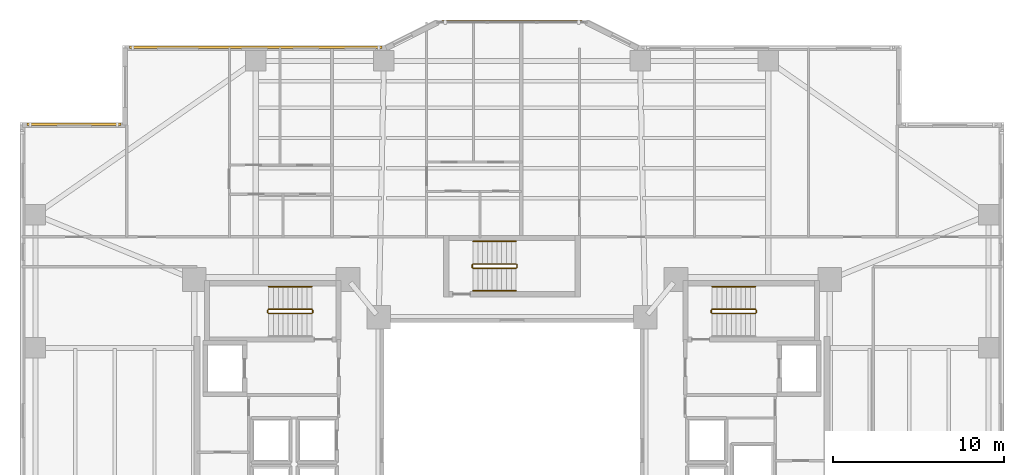
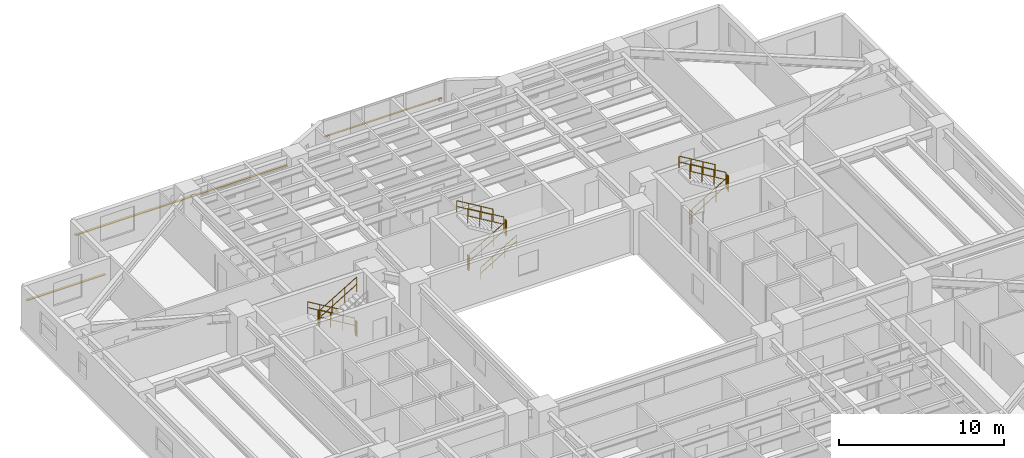
# One storey, part 20 of 21: 16 railings, 3 shading devices.
"""IFC4 building model written with IfcOpenShell, lengths in metres."""

from ifc_helpers import new_model, si_unit, direction, frame, origin, origin_2d, place, context, subcontext, project, spatial, rectangle, circle, extrude, material, material_profile, profile_set, type_object, element, save


model = new_model("IFC4")

# Units and contexts
model_context = context("Model", 3, precision=1e-05, world=origin(), true_north=direction((0.0, 1.0)))
body_context = subcontext(model_context, "Body", "Model", "MODEL_VIEW")
ifc_project = project(units=[si_unit("LENGTHUNIT", "METRE"), si_unit("AREAUNIT", "SQUARE_METRE"), si_unit("VOLUMEUNIT", "CUBIC_METRE"), si_unit("PLANEANGLEUNIT", "RADIAN"), si_unit("MASSUNIT", "GRAM", prefix="KILO")], contexts=[model_context])

# Site, building, storey
site_placement = place(None, origin())
site = spatial("IfcSite", under=ifc_project, at=site_placement, CompositionType="ELEMENT")
building_placement = place(site_placement, origin())
building = spatial("IfcBuilding", under=site, at=building_placement, Name="Tarnavaz Court Tower", CompositionType="ELEMENT")
storey_placement = place(building_placement, frame((0.0, 0.0, 40.75)))
storey = spatial("IfcBuildingStorey", under=building, at=storey_placement, Name="L10", CompositionType="ELEMENT", Elevation=40.75)

# Railings
ifc_material_1 = material(Name="Brushed Stainless Steel", Category="steel")
railing_type_1 = type_object("IfcRailingType", Name="RL-HANDRAIL-900", PredefinedType="HANDRAIL", material=ifc_material_1)
for number, where, name in (
    (1, (-11.719970703125, 9.590087890625, 0.16748046875), "L10 ST-W1 stair handrail 1"),
    (2, (14.239990234375, 9.590087890625, 1.842529296875), "L10 ST-E1 stair handrail 2"),
):
    element("IfcRailing", number, at=place(storey_placement, frame(where)), inside=storey, type_object=railing_type_1, Name=name, PredefinedType="HANDRAIL", context=body_context, shape_type="SweptSolid", body=[
        extrude(circle(Radius=0.02392578125, at=origin_2d()), frame((0.0, 0.0, 0.8759765625), z_axis=(-0.858159760407, 0.0, 0.513382728203), x_axis=(0.0, -1.0, 0.0)), (0.0, 0.0, 1.0), 2.9365234375),
        extrude(circle(Radius=0.02392578125, at=origin_2d()), frame((0.0, 0.0, 0.449951171875), z_axis=(-0.858159760407, 0.0, 0.513382728203), x_axis=(0.0, -1.0, 0.0)), (0.0, 0.0, 1.0), 2.9365234375),
        extrude(circle(Radius=0.02099609375, at=origin_2d()), origin(), (0.0, 0.0, 1.0), 0.851806640625),
        extrude(circle(Radius=0.02099609375, at=origin_2d()), frame((-0.840087890625, 0.0, 0.50244140625)), (0.0, 0.0, 1.0), 0.851806640625),
        extrude(circle(Radius=0.02099609375, at=origin_2d()), frame((-1.679931640625, 0.0, 1.005126953125)), (0.0, 0.0, 1.0), 0.851806640625),
        extrude(circle(Radius=0.02099609375, at=origin_2d()), frame((-2.52001953125, 0.0, 1.507568359375)), (0.0, 0.0, 1.0), 0.851806640625),
    ])
railing_1_placement = place(storey_placement, frame((-2.280029296875, 9.35009765625, 0.16748046875)))
element("IfcRailing", 3, at=railing_1_placement, inside=storey, type_object=railing_type_1, Name="L10 ST-N1 stair handrail 1", PredefinedType="HANDRAIL", context=body_context, shape_type="SweptSolid", body=[
    extrude(circle(Radius=0.02392578125, at=origin_2d()), frame((0.0, 0.0, 0.8759765625), z_axis=(0.858159760407, 0.0, 0.513382728203), x_axis=(0.0, 1.0, 0.0)), (0.0, 0.0, 1.0), 2.9365234375),
    extrude(circle(Radius=0.02392578125, at=origin_2d()), frame((0.0, 0.0, 0.449951171875), z_axis=(0.858159760407, 0.0, 0.513382728203), x_axis=(0.0, 1.0, 0.0)), (0.0, 0.0, 1.0), 2.9365234375),
    extrude(circle(Radius=0.02099609375, at=origin_2d()), origin(), (0.0, 0.0, 1.0), 0.851806640625),
    extrude(circle(Radius=0.02099609375, at=origin_2d()), frame((0.840087890625, 0.0, 0.50244140625)), (0.0, 0.0, 1.0), 0.851806640625),
    extrude(circle(Radius=0.02099609375, at=origin_2d()), frame((1.679931640625, 0.0, 1.005126953125)), (0.0, 0.0, 1.0), 0.851806640625),
    extrude(circle(Radius=0.02099609375, at=origin_2d()), frame((2.52001953125, 0.0, 1.507568359375)), (0.0, 0.0, 1.0), 0.851806640625),
])
railing_2_placement = place(storey_placement, frame((0.239990234375, 12.239990234375, 1.842529296875)))
element("IfcRailing", 4, at=railing_2_placement, inside=storey, type_object=railing_type_1, Name="L10 ST-N1 stair handrail 2", PredefinedType="HANDRAIL", context=body_context, shape_type="SweptSolid", body=[
    extrude(circle(Radius=0.02392578125, at=origin_2d()), frame((0.0, 0.0, 0.8759765625), z_axis=(-0.858159760407, 0.0, 0.513382728203), x_axis=(0.0, -1.0, 0.0)), (0.0, 0.0, 1.0), 2.9365234375),
    extrude(circle(Radius=0.02392578125, at=origin_2d()), frame((0.0, 0.0, 0.449951171875), z_axis=(-0.858159760407, 0.0, 0.513382728203), x_axis=(0.0, -1.0, 0.0)), (0.0, 0.0, 1.0), 2.9365234375),
    extrude(circle(Radius=0.02099609375, at=origin_2d()), origin(), (0.0, 0.0, 1.0), 0.851806640625),
    extrude(circle(Radius=0.02099609375, at=origin_2d()), frame((-0.840087890625, 0.0, 0.50244140625)), (0.0, 0.0, 1.0), 0.851806640625),
    extrude(circle(Radius=0.02099609375, at=origin_2d()), frame((-1.679931640625, 0.0, 1.005126953125)), (0.0, 0.0, 1.0), 0.851806640625),
    extrude(circle(Radius=0.02099609375, at=origin_2d()), frame((-2.52001953125, 0.0, 1.507568359375)), (0.0, 0.0, 1.0), 0.851806640625),
])
ifc_material_2 = material(Name="Galvanized Painted Tubular Steel", Category="steel")
railing_type_2 = type_object("IfcRailingType", Name="RL-STGUARD-1120", PredefinedType="GUARDRAIL", material=ifc_material_2)
railing_3_placement = place(storey_placement, frame((-11.719970703125, 8.27001953125, 0.16748046875)))
element("IfcRailing", 5, at=railing_3_placement, inside=storey, type_object=railing_type_2, Name="L10 ST-W1 stair guard 1", PredefinedType="GUARDRAIL", context=body_context, shape_type="SweptSolid", body=[
    extrude(circle(Radius=0.02392578125, at=origin_2d()), frame((0.0, 0.0, 1.09619140625), z_axis=(-0.858159760407, 0.0, 0.513382728203), x_axis=(0.0, -1.0, 0.0)), (0.0, 0.0, 1.0), 2.9365234375),
    extrude(circle(Radius=0.02392578125, at=origin_2d()), frame((0.0, 0.0, 0.56005859375), z_axis=(-0.858159760407, 0.0, 0.513382728203), x_axis=(0.0, -1.0, 0.0)), (0.0, 0.0, 1.0), 2.9365234375),
    extrude(circle(Radius=0.02099609375, at=origin_2d()), origin(), (0.0, 0.0, 1.0), 1.072021484375),
    extrude(circle(Radius=0.02099609375, at=origin_2d()), frame((-0.840087890625, 0.0, 0.50244140625)), (0.0, 0.0, 1.0), 1.072021484375),
    extrude(circle(Radius=0.02099609375, at=origin_2d()), frame((-1.679931640625, 0.0, 1.005126953125)), (0.0, 0.0, 1.0), 1.072021484375),
    extrude(circle(Radius=0.02099609375, at=origin_2d()), frame((-2.52001953125, 0.0, 1.507568359375)), (0.0, 0.0, 1.0), 1.072021484375),
])
railing_4_placement = place(storey_placement, frame((-14.2900390625, 8.219970703125, 1.675048828125)))
element("IfcRailing", 6, at=railing_4_placement, inside=storey, type_object=railing_type_2, Name="L10 ST-W1 stair guard 2", PredefinedType="GUARDRAIL", context=body_context, shape_type="SweptSolid", body=[
    extrude(circle(Radius=0.02392578125, at=origin_2d()), frame((0.0, 0.0, 1.09619140625), z_axis=(0.0, -1.0, 0.0), x_axis=(1.0, 0.0, 0.0)), (0.0, 0.0, 1.0), 0.14990234375),
    extrude(circle(Radius=0.02392578125, at=origin_2d()), frame((0.0, 0.0, 0.56005859375), z_axis=(0.0, -1.0, 0.0), x_axis=(1.0, 0.0, 0.0)), (0.0, 0.0, 1.0), 0.14990234375),
    extrude(circle(Radius=0.02099609375, at=origin_2d()), origin(), (0.0, 0.0, 1.0), 1.072021484375),
    extrude(circle(Radius=0.02099609375, at=origin_2d()), frame((0.0, -0.14990234375, 0.0)), (0.0, 0.0, 1.0), 1.072021484375),
])
railing_5_placement = place(storey_placement, frame((-14.239990234375, 8.02001953125, 1.842529296875)))
element("IfcRailing", 7, at=railing_5_placement, inside=storey, type_object=railing_type_2, Name="L10 ST-W1 stair guard 3", PredefinedType="GUARDRAIL", context=body_context, shape_type="SweptSolid", body=[
    extrude(circle(Radius=0.02392578125, at=origin_2d()), frame((0.0, 0.0, 1.09619140625), z_axis=(0.858159760407, 0.0, 0.513382728203), x_axis=(0.0, 1.0, 0.0)), (0.0, 0.0, 1.0), 2.9365234375),
    extrude(circle(Radius=0.02392578125, at=origin_2d()), frame((0.0, 0.0, 0.56005859375), z_axis=(0.858159760407, 0.0, 0.513382728203), x_axis=(0.0, 1.0, 0.0)), (0.0, 0.0, 1.0), 2.9365234375),
    extrude(circle(Radius=0.02099609375, at=origin_2d()), origin(), (0.0, 0.0, 1.0), 1.072021484375),
    extrude(circle(Radius=0.02099609375, at=origin_2d()), frame((0.840087890625, 0.0, 0.50244140625)), (0.0, 0.0, 1.0), 1.072021484375),
    extrude(circle(Radius=0.02099609375, at=origin_2d()), frame((1.679931640625, 0.0, 1.005126953125)), (0.0, 0.0, 1.0), 1.072021484375),
    extrude(circle(Radius=0.02099609375, at=origin_2d()), frame((2.52001953125, 0.0, 1.507568359375)), (0.0, 0.0, 1.0), 1.072021484375),
])
railing_6_placement = place(storey_placement, frame((-11.669921875, 8.219970703125, 0.0)))
element("IfcRailing", 8, at=railing_6_placement, inside=storey, type_object=railing_type_2, Name="L10 ST-W1 stair guard 4", PredefinedType="GUARDRAIL", context=body_context, shape_type="SweptSolid", body=[
    extrude(circle(Radius=0.02392578125, at=origin_2d()), frame((0.0, 0.0, 1.09619140625), z_axis=(0.0, -1.0, 0.0), x_axis=(1.0, 0.0, 0.0)), (0.0, 0.0, 1.0), 0.14990234375),
    extrude(circle(Radius=0.02392578125, at=origin_2d()), frame((0.0, 0.0, 0.56005859375), z_axis=(0.0, -1.0, 0.0), x_axis=(1.0, 0.0, 0.0)), (0.0, 0.0, 1.0), 0.14990234375),
    extrude(circle(Radius=0.02099609375, at=origin_2d()), origin(), (0.0, 0.0, 1.0), 1.072021484375),
    extrude(circle(Radius=0.02099609375, at=origin_2d()), frame((0.0, -0.14990234375, 0.0)), (0.0, 0.0, 1.0), 1.072021484375),
])
railing_7_placement = place(storey_placement, frame((11.719970703125, 8.02001953125, 0.16748046875)))
element("IfcRailing", 9, at=railing_7_placement, inside=storey, type_object=railing_type_2, Name="L10 ST-E1 stair guard 1", PredefinedType="GUARDRAIL", context=body_context, shape_type="SweptSolid", body=[
    extrude(circle(Radius=0.02392578125, at=origin_2d()), frame((0.0, 0.0, 1.09619140625), z_axis=(0.858159760407, 0.0, 0.513382728203), x_axis=(0.0, 1.0, 0.0)), (0.0, 0.0, 1.0), 2.9365234375),
    extrude(circle(Radius=0.02392578125, at=origin_2d()), frame((0.0, 0.0, 0.56005859375), z_axis=(0.858159760407, 0.0, 0.513382728203), x_axis=(0.0, 1.0, 0.0)), (0.0, 0.0, 1.0), 2.9365234375),
    extrude(circle(Radius=0.02099609375, at=origin_2d()), origin(), (0.0, 0.0, 1.0), 1.072021484375),
    extrude(circle(Radius=0.02099609375, at=origin_2d()), frame((0.840087890625, 0.0, 0.50244140625)), (0.0, 0.0, 1.0), 1.072021484375),
    extrude(circle(Radius=0.02099609375, at=origin_2d()), frame((1.679931640625, 0.0, 1.005126953125)), (0.0, 0.0, 1.0), 1.072021484375),
    extrude(circle(Radius=0.02099609375, at=origin_2d()), frame((2.52001953125, 0.0, 1.507568359375)), (0.0, 0.0, 1.0), 1.072021484375),
])
railing_8_placement = place(storey_placement, frame((14.2900390625, 8.070068359375, 1.675048828125)))
element("IfcRailing", 10, at=railing_8_placement, inside=storey, type_object=railing_type_2, Name="L10 ST-E1 stair guard 2", PredefinedType="GUARDRAIL", context=body_context, shape_type="SweptSolid", body=[
    extrude(circle(Radius=0.02392578125, at=origin_2d()), frame((0.0, 0.0, 1.09619140625), z_axis=(0.0, 1.0, 0.0), x_axis=(-1.0, 0.0, 0.0)), (0.0, 0.0, 1.0), 0.14990234375),
    extrude(circle(Radius=0.02392578125, at=origin_2d()), frame((0.0, 0.0, 0.56005859375), z_axis=(0.0, 1.0, 0.0), x_axis=(-1.0, 0.0, 0.0)), (0.0, 0.0, 1.0), 0.14990234375),
    extrude(circle(Radius=0.02099609375, at=origin_2d()), origin(), (0.0, 0.0, 1.0), 1.072021484375),
    extrude(circle(Radius=0.02099609375, at=origin_2d()), frame((0.0, 0.14990234375, 0.0)), (0.0, 0.0, 1.0), 1.072021484375),
])
railing_9_placement = place(storey_placement, frame((14.239990234375, 8.27001953125, 1.842529296875)))
element("IfcRailing", 11, at=railing_9_placement, inside=storey, type_object=railing_type_2, Name="L10 ST-E1 stair guard 3", PredefinedType="GUARDRAIL", context=body_context, shape_type="SweptSolid", body=[
    extrude(circle(Radius=0.02392578125, at=origin_2d()), frame((0.0, 0.0, 1.09619140625), z_axis=(-0.858159760407, 0.0, 0.513382728203), x_axis=(0.0, -1.0, 0.0)), (0.0, 0.0, 1.0), 2.9365234375),
    extrude(circle(Radius=0.02392578125, at=origin_2d()), frame((0.0, 0.0, 0.56005859375), z_axis=(-0.858159760407, 0.0, 0.513382728203), x_axis=(0.0, -1.0, 0.0)), (0.0, 0.0, 1.0), 2.9365234375),
    extrude(circle(Radius=0.02099609375, at=origin_2d()), origin(), (0.0, 0.0, 1.0), 1.072021484375),
    extrude(circle(Radius=0.02099609375, at=origin_2d()), frame((-0.840087890625, 0.0, 0.50244140625)), (0.0, 0.0, 1.0), 1.072021484375),
    extrude(circle(Radius=0.02099609375, at=origin_2d()), frame((-1.679931640625, 0.0, 1.005126953125)), (0.0, 0.0, 1.0), 1.072021484375),
    extrude(circle(Radius=0.02099609375, at=origin_2d()), frame((-2.52001953125, 0.0, 1.507568359375)), (0.0, 0.0, 1.0), 1.072021484375),
])
railing_10_placement = place(storey_placement, frame((11.669921875, 8.070068359375, 0.0)))
element("IfcRailing", 12, at=railing_10_placement, inside=storey, type_object=railing_type_2, Name="L10 ST-E1 stair guard 4", PredefinedType="GUARDRAIL", context=body_context, shape_type="SweptSolid", body=[
    extrude(circle(Radius=0.02392578125, at=origin_2d()), frame((0.0, 0.0, 1.09619140625), z_axis=(0.0, 1.0, 0.0), x_axis=(-1.0, 0.0, 0.0)), (0.0, 0.0, 1.0), 0.14990234375),
    extrude(circle(Radius=0.02392578125, at=origin_2d()), frame((0.0, 0.0, 0.56005859375), z_axis=(0.0, 1.0, 0.0), x_axis=(-1.0, 0.0, 0.0)), (0.0, 0.0, 1.0), 0.14990234375),
    extrude(circle(Radius=0.02099609375, at=origin_2d()), origin(), (0.0, 0.0, 1.0), 1.072021484375),
    extrude(circle(Radius=0.02099609375, at=origin_2d()), frame((0.0, 0.14990234375, 0.0)), (0.0, 0.0, 1.0), 1.072021484375),
])
railing_11_placement = place(storey_placement, frame((-2.280029296875, 10.669921875, 0.16748046875)))
element("IfcRailing", 13, at=railing_11_placement, inside=storey, type_object=railing_type_2, Name="L10 ST-N1 stair guard 1", PredefinedType="GUARDRAIL", context=body_context, shape_type="SweptSolid", body=[
    extrude(circle(Radius=0.02392578125, at=origin_2d()), frame((0.0, 0.0, 1.09619140625), z_axis=(0.858159760407, 0.0, 0.513382728203), x_axis=(0.0, 1.0, 0.0)), (0.0, 0.0, 1.0), 2.9365234375),
    extrude(circle(Radius=0.02392578125, at=origin_2d()), frame((0.0, 0.0, 0.56005859375), z_axis=(0.858159760407, 0.0, 0.513382728203), x_axis=(0.0, 1.0, 0.0)), (0.0, 0.0, 1.0), 2.9365234375),
    extrude(circle(Radius=0.02099609375, at=origin_2d()), origin(), (0.0, 0.0, 1.0), 1.072021484375),
    extrude(circle(Radius=0.02099609375, at=origin_2d()), frame((0.840087890625, 0.0, 0.50244140625)), (0.0, 0.0, 1.0), 1.072021484375),
    extrude(circle(Radius=0.02099609375, at=origin_2d()), frame((1.679931640625, 0.0, 1.005126953125)), (0.0, 0.0, 1.0), 1.072021484375),
    extrude(circle(Radius=0.02099609375, at=origin_2d()), frame((2.52001953125, 0.0, 1.507568359375)), (0.0, 0.0, 1.0), 1.072021484375),
])
railing_12_placement = place(storey_placement, frame((0.2900390625, 10.719970703125, 1.675048828125)))
element("IfcRailing", 14, at=railing_12_placement, inside=storey, type_object=railing_type_2, Name="L10 ST-N1 stair guard 2", PredefinedType="GUARDRAIL", context=body_context, shape_type="SweptSolid", body=[
    extrude(circle(Radius=0.02392578125, at=origin_2d()), frame((0.0, 0.0, 1.09619140625), z_axis=(0.0, 1.0, 0.0), x_axis=(-1.0, 0.0, 0.0)), (0.0, 0.0, 1.0), 0.150146484375),
    extrude(circle(Radius=0.02392578125, at=origin_2d()), frame((0.0, 0.0, 0.56005859375), z_axis=(0.0, 1.0, 0.0), x_axis=(-1.0, 0.0, 0.0)), (0.0, 0.0, 1.0), 0.150146484375),
    extrude(circle(Radius=0.02099609375, at=origin_2d()), origin(), (0.0, 0.0, 1.0), 1.072021484375),
    extrude(circle(Radius=0.02099609375, at=origin_2d()), frame((0.0, 0.150146484375, 0.0)), (0.0, 0.0, 1.0), 1.072021484375),
])
railing_13_placement = place(storey_placement, frame((0.239990234375, 10.919921875, 1.842529296875)))
element("IfcRailing", 15, at=railing_13_placement, inside=storey, type_object=railing_type_2, Name="L10 ST-N1 stair guard 3", PredefinedType="GUARDRAIL", context=body_context, shape_type="SweptSolid", body=[
    extrude(circle(Radius=0.02392578125, at=origin_2d()), frame((0.0, 0.0, 1.09619140625), z_axis=(-0.858159760407, 0.0, 0.513382728203), x_axis=(0.0, -1.0, 0.0)), (0.0, 0.0, 1.0), 2.9365234375),
    extrude(circle(Radius=0.02392578125, at=origin_2d()), frame((0.0, 0.0, 0.56005859375), z_axis=(-0.858159760407, 0.0, 0.513382728203), x_axis=(0.0, -1.0, 0.0)), (0.0, 0.0, 1.0), 2.9365234375),
    extrude(circle(Radius=0.02099609375, at=origin_2d()), origin(), (0.0, 0.0, 1.0), 1.072021484375),
    extrude(circle(Radius=0.02099609375, at=origin_2d()), frame((-0.840087890625, 0.0, 0.50244140625)), (0.0, 0.0, 1.0), 1.072021484375),
    extrude(circle(Radius=0.02099609375, at=origin_2d()), frame((-1.679931640625, 0.0, 1.005126953125)), (0.0, 0.0, 1.0), 1.072021484375),
    extrude(circle(Radius=0.02099609375, at=origin_2d()), frame((-2.52001953125, 0.0, 1.507568359375)), (0.0, 0.0, 1.0), 1.072021484375),
])
railing_14_placement = place(storey_placement, frame((-2.330078125, 10.719970703125, 0.0)))
element("IfcRailing", 16, at=railing_14_placement, inside=storey, type_object=railing_type_2, Name="L10 ST-N1 stair guard 4", PredefinedType="GUARDRAIL", context=body_context, shape_type="SweptSolid", body=[
    extrude(circle(Radius=0.02392578125, at=origin_2d()), frame((0.0, 0.0, 1.09619140625), z_axis=(0.0, 1.0, 0.0), x_axis=(-1.0, 0.0, 0.0)), (0.0, 0.0, 1.0), 0.150146484375),
    extrude(circle(Radius=0.02392578125, at=origin_2d()), frame((0.0, 0.0, 0.56005859375), z_axis=(0.0, 1.0, 0.0), x_axis=(-1.0, 0.0, 0.0)), (0.0, 0.0, 1.0), 0.150146484375),
    extrude(circle(Radius=0.02099609375, at=origin_2d()), origin(), (0.0, 0.0, 1.0), 1.072021484375),
    extrude(circle(Radius=0.02099609375, at=origin_2d()), frame((0.0, 0.150146484375, 0.0)), (0.0, 0.0, 1.0), 1.072021484375),
])

# Shading devices
ifc_material_3 = material(Name="Kiln-Fired Khorasan Terracotta Ceramic", Category="masonry")
ifc_material_profile_1 = material_profile(ifc_material_3, rectangle(XDim=0.1201171875, YDim=0.06005859375, at=origin_2d()), Name="TC BAGUETTE 120X60")
ifc_profile_set_1 = profile_set([ifc_material_profile_1], Name="Kiln-Fired Khorasan Terracotta Ceramic")
shading_device_type_1 = type_object("IfcShadingDeviceType", Name="SD-BAG-120", PredefinedType="USERDEFINED", material=ifc_profile_set_1)
shading_device_1_placement = place(storey_placement, frame((-4.10009765625, 25.110107421875, 1.800048828125), z_axis=(1.0, 0.0, 0.0), x_axis=(0.0, 1.0, 0.0)))
element("IfcShadingDevice", 17, at=shading_device_1_placement, inside=storey, type_object=shading_device_type_1, Name="L10 Terracotta Baguette Screen PBG7", ObjectType="BAGUETTE", PredefinedType="USERDEFINED", context=body_context, shape_type="SweptSolid", body=[
    extrude(rectangle(XDim=0.1201171875, YDim=0.06005859375, at=origin_2d()), origin(), (0.0, 0.0, 1.0), 8.2001953125),
])
ifc_material_profile_2 = material_profile(ifc_material_3, rectangle(XDim=0.14990234375, YDim=0.06494140625, at=origin_2d()), Name="TC BAGUETTE 150X65")
ifc_profile_set_2 = profile_set([ifc_material_profile_2], Name="Kiln-Fired Khorasan Terracotta Ceramic")
shading_device_type_2 = type_object("IfcShadingDeviceType", Name="SD-BAG-150", PredefinedType="USERDEFINED", material=ifc_profile_set_2)
shading_device_2_placement = place(storey_placement, frame((-28.39990234375, 19.110107421875, 1.85009765625), z_axis=(1.0, 0.0, 0.0), x_axis=(0.0, 1.0, 0.0)))
element("IfcShadingDevice", 18, at=shading_device_2_placement, inside=storey, type_object=shading_device_type_2, Name="L10 Terracotta Baguette Screen FBG03", ObjectType="BAGUETTE", PredefinedType="USERDEFINED", context=body_context, shape_type="SweptSolid", body=[
    extrude(rectangle(XDim=0.14990234375, YDim=0.06494140625, at=origin_2d()), origin(), (0.0, 0.0, 1.0), 5.5),
])
shading_device_3_placement = place(storey_placement, frame((-22.39990234375, 23.610107421875, 1.85009765625), z_axis=(1.0, 0.0, 0.0), x_axis=(0.0, 1.0, 0.0)))
element("IfcShadingDevice", 19, at=shading_device_3_placement, inside=storey, type_object=shading_device_type_2, Name="L10 Terracotta Baguette Screen FBG05", ObjectType="BAGUETTE", PredefinedType="USERDEFINED", context=body_context, shape_type="SweptSolid", body=[
    extrude(rectangle(XDim=0.14990234375, YDim=0.06494140625, at=origin_2d()), origin(), (0.0, 0.0, 1.0), 14.7998046875),
])

save(model, "model.ifc")
